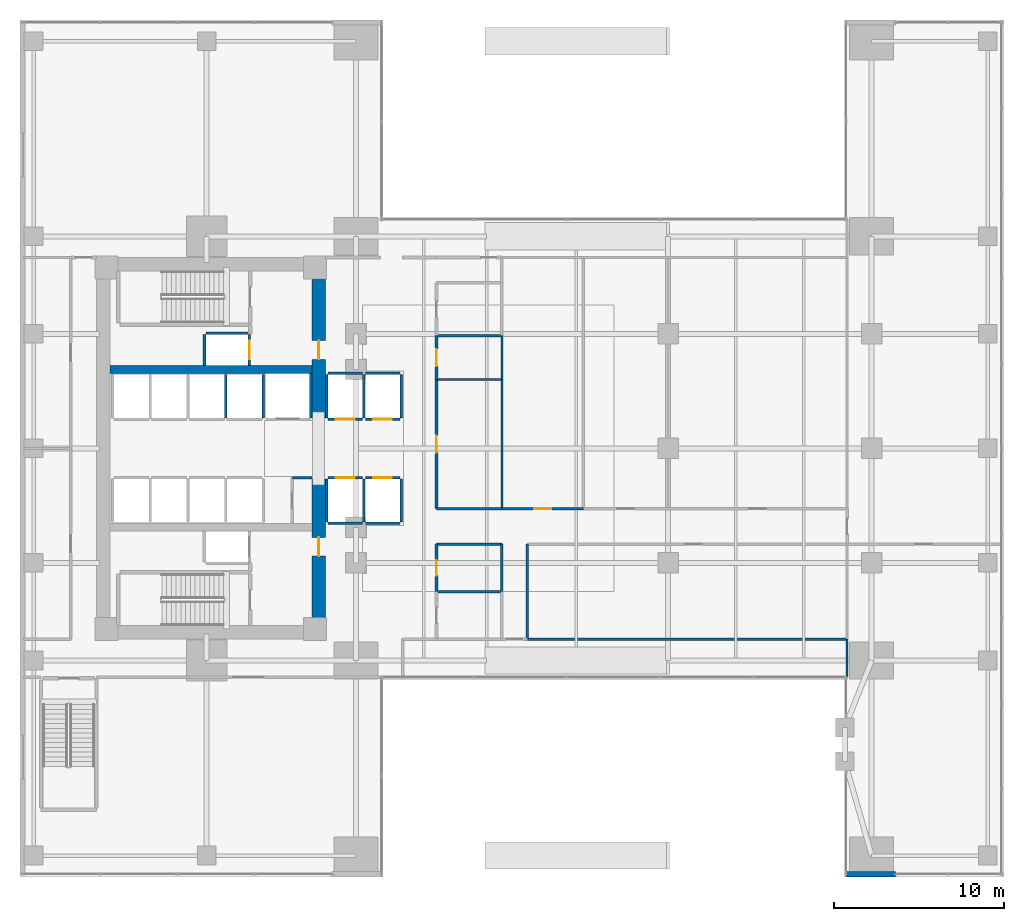
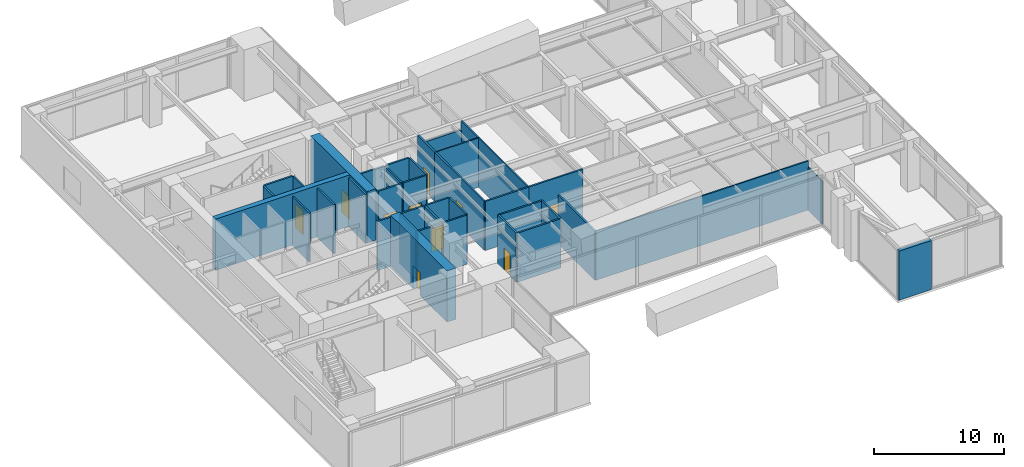
# One storey, part 9 of 13: 40 walls, 11 doors, 11 openings.
"""IFC4 building model written with IfcOpenShell, lengths in metres."""

import ifcopenshell
import ifcopenshell.guid

model = None  # the IFC model being written
_history = None  # IfcOwnerHistory: only IFC2X3 demands one
_inside = {}  # id of a spatial element -> (the spatial element, [elements in it])
_under = {}  # id of a project, library or spatial element -> (it, [spatial elements below it])
_declared = {}  # id of a project -> (the project, [libraries it declares])
_typed = {}  # id of a type object -> (the type object, [elements of that type])
_made_of = {}  # id of a material, layer set ... -> (it, [elements and type objects made of it])


def new_model(schema):
    """Start an empty IFC model of exactly this schema.

    Asked for "IFC4X3", IfcOpenShell would pick the latest addendum, in which some entities
    have other attributes; the version numbers below select the first issue.
    IFC2X3 requires an IfcOwnerHistory on every rooted entity: one is made here for all.
    """
    global model, _history
    if schema == "IFC4X3":
        model = ifcopenshell.file(schema_version=(4, 3, 0, 0))
    else:
        model = ifcopenshell.file(schema=schema)
    _inside.clear()
    _under.clear()
    _declared.clear()
    _typed.clear()
    _made_of.clear()
    _history = None
    if model.schema == "IFC2X3":
        org = make("IfcOrganization", Name="unknown")
        user = make(
            "IfcPersonAndOrganization",
            ThePerson=make("IfcPerson", FamilyName="unknown"),
            TheOrganization=org,
        )
        app = make(
            "IfcApplication",
            ApplicationDeveloper=org,
            Version="unknown",
            ApplicationFullName="unknown",
            ApplicationIdentifier="unknown",
        )
        _history = make(
            "IfcOwnerHistory",
            OwningUser=user,
            OwningApplication=app,
            ChangeAction="ADDED",
            CreationDate=0,
        )
    return model


def make(cls, **values):
    """One entity of the class cls with the attributes given. An attribute that is None is left unset."""
    return model.create_entity(
        cls, **{name: value for name, value in values.items() if value is not None}
    )


def rooted(cls, **values):
    """An entity with a GlobalId (a new one), such as an element, a storey or a relation."""
    return make(cls, GlobalId=ifcopenshell.guid.new(), OwnerHistory=_history, **values)


def si_unit(unit_type, name, prefix=None):
    """IfcSIUnit, for example si_unit("LENGTHUNIT", "METRE", prefix="MILLI")."""
    return make("IfcSIUnit", UnitType=unit_type, Prefix=prefix, Name=name)


def assignment(units):
    """IfcUnitAssignment: the units of a project."""
    return None if units is None else make("IfcUnitAssignment", Units=units)


def point(xyz):
    """IfcCartesianPoint."""
    return None if xyz is None else make("IfcCartesianPoint", Coordinates=xyz)


def direction(xyz):
    """IfcDirection."""
    return None if xyz is None else make("IfcDirection", DirectionRatios=xyz)


def frame(location, z_axis=None, x_axis=None):
    """IfcAxis2Placement3D, a coordinate frame: its origin and axes. An axis left out is left unset."""
    return make(
        "IfcAxis2Placement3D",
        Location=point(location),
        Axis=direction(z_axis),
        RefDirection=direction(x_axis),
    )


def frame_2d(location, x_axis=None):
    """IfcAxis2Placement2D, a coordinate frame in the plane: its origin and x axis."""
    return make(
        "IfcAxis2Placement2D", Location=point(location), RefDirection=direction(x_axis)
    )


def origin():
    """The frame at (0, 0, 0) with its axes left unset."""
    return frame((0.0, 0.0, 0.0))


def place(relative_to, where):
    """IfcLocalPlacement: puts the frame where relative to a parent placement (None: the world)."""
    return make(
        "IfcLocalPlacement", PlacementRelTo=relative_to, RelativePlacement=where
    )


def context(
    kind, dimensions, precision=None, world=None, true_north=None, identifier=None
):
    """IfcGeometricRepresentationContext, for example the 3D "Model" context."""
    return make(
        "IfcGeometricRepresentationContext",
        ContextIdentifier=identifier,
        ContextType=kind,
        CoordinateSpaceDimension=dimensions,
        Precision=precision,
        WorldCoordinateSystem=world,
        TrueNorth=true_north,
    )


def subcontext(parent, identifier, kind, view, scale=None):
    """IfcGeometricRepresentationSubContext, for example "Body" below "Model"."""
    return make(
        "IfcGeometricRepresentationSubContext",
        ContextIdentifier=identifier,
        ContextType=kind,
        ParentContext=parent,
        TargetScale=scale,
        TargetView=view,
    )


def project(units=None, contexts=None):
    """IfcProject with its units and contexts."""
    return rooted(
        "IfcProject",
        Name="project",
        RepresentationContexts=contexts,
        UnitsInContext=assignment(units),
    )


def spatial(cls, under=None, at=None, **own):
    """A site, building, storey or space (cls), placed at a placement, below another one or the project."""
    s = rooted(cls, ObjectPlacement=at, **own)
    if under is not None:
        _under.setdefault(under.id(), (under, []))[1].append(s)
    return s


def profile(cls, at=None, kind="AREA", **sizes):
    """A parametric profile (cls). Its sizes go by their IFC names, for example OverallWidth=200.0."""
    return make(cls, ProfileType=kind, Position=at, **sizes)


def rectangle(**sizes):
    """IfcRectangleProfileDef."""
    return profile("IfcRectangleProfileDef", **sizes)


def extrude(swept, where, along, depth):
    """IfcExtrudedAreaSolid: the profile swept, set in the frame where, extruded along a direction by depth."""
    return make(
        "IfcExtrudedAreaSolid",
        SweptArea=swept,
        Position=where,
        ExtrudedDirection=direction(along),
        Depth=depth,
    )


def shape(context_of_items, identifier, shape_type, items):
    """IfcShapeRepresentation: the items that make up one representation, for example the "Body"."""
    return make(
        "IfcShapeRepresentation",
        ContextOfItems=context_of_items,
        RepresentationIdentifier=identifier,
        RepresentationType=shape_type,
        Items=items,
    )


def material(Name=None, Category=None):
    """IfcMaterial."""
    return make("IfcMaterial", Name=Name, Category=Category)


def layer(
    of_material, thickness, ventilated=None, Name=None, Category=None, Priority=None
):
    """IfcMaterialLayer: one layer of a wall or slab, of a material (None: an air gap)."""
    return make(
        "IfcMaterialLayer",
        Material=of_material,
        LayerThickness=thickness,
        IsVentilated=ventilated,
        Name=Name,
        Category=Category,
        Priority=Priority,
    )


def layer_set(layers, Name=None):
    """IfcMaterialLayerSet."""
    return make("IfcMaterialLayerSet", MaterialLayers=layers, LayerSetName=Name)


def made_of(thing, what):
    """Note that an element or type object is made of a material, layer set ...; save() writes the relation."""
    if what is not None:
        _made_of.setdefault(what.id(), (what, []))[1].append(thing)
    return thing


def type_object(cls, material=None, **own):
    """A type object (cls), such as IfcWallType, which elements share."""
    return made_of(rooted(cls, **own), material)


def element(
    cls,
    number,
    at=None,
    inside=None,
    cuts=None,
    type_object=None,
    material=None,
    context=None,
    identifier="Body",
    shape_type=None,
    held_by="IfcProductDefinitionShape",
    body=None,
    shapes=None,
    **own,
):
    """One element of the class cls, such as IfcWall. Its Tag is "e" and its number.

    at: its placement. inside: the storey or other place that contains it. cuts: it is an
    opening in that element (IfcRelVoidsElement). A single representation is given by context,
    identifier, shape_type and body (its items); several are given by shapes. held_by: the class
    of the entity that holds the representations. save() writes the other relations.
    """
    e = rooted(cls, Tag="e%d" % number, ObjectPlacement=at, **own)
    if body is not None:
        shapes = [shape(context, identifier, shape_type, body)]
    if shapes is not None:
        e.Representation = make(held_by, Representations=shapes)
    if inside is not None:
        _inside.setdefault(inside.id(), (inside, []))[1].append(e)
    if cuts is not None:
        rooted(
            "IfcRelVoidsElement", RelatingBuildingElement=cuts, RelatedOpeningElement=e
        )
    if type_object is not None:
        _typed.setdefault(type_object.id(), (type_object, []))[1].append(e)
    return made_of(e, material)


def fill(opening, filler):
    """IfcRelFillsElement: the door or window that sits in an opening."""
    return rooted(
        "IfcRelFillsElement",
        RelatingOpeningElement=opening,
        RelatedBuildingElement=filler,
    )


def aggregate(whole, parts):
    """IfcRelAggregates: a whole, such as a stair, and the parts it consists of."""
    return rooted("IfcRelAggregates", RelatingObject=whole, RelatedObjects=parts)


def save(model, path):
    """Write the relations noted so far, then the file.

    IfcRelAggregates (storeys below a building ...), IfcRelContainedInSpatialStructure (elements
    in a storey), IfcRelDefinesByType, IfcRelAssociatesMaterial and IfcRelDeclares: one each for
    every whole, place, type object, material and project.
    """
    for whole, parts in _under.values():
        aggregate(whole, parts)
    for where, things in _inside.values():
        rooted(
            "IfcRelContainedInSpatialStructure",
            RelatedElements=things,
            RelatingStructure=where,
        )
    for kind, things in _typed.values():
        rooted("IfcRelDefinesByType", RelatedObjects=things, RelatingType=kind)
    for what, things in _made_of.values():
        rooted("IfcRelAssociatesMaterial", RelatedObjects=things, RelatingMaterial=what)
    for by, libraries in _declared.values():
        rooted("IfcRelDeclares", RelatingContext=by, RelatedDefinitions=libraries)
    model.write(path)


model = new_model("IFC4")

# Units and contexts
model_context = context("Model", 3, precision=1e-05, world=origin(), true_north=direction((0.0, 1.0)))
body_context = subcontext(model_context, "Body", "Model", "MODEL_VIEW")
ifc_project = project(units=[si_unit("LENGTHUNIT", "METRE"), si_unit("AREAUNIT", "SQUARE_METRE"), si_unit("VOLUMEUNIT", "CUBIC_METRE"), si_unit("PLANEANGLEUNIT", "RADIAN"), si_unit("MASSUNIT", "GRAM", prefix="KILO")], contexts=[model_context])

# Site, building, storey
site_placement = place(None, origin())
site = spatial("IfcSite", under=ifc_project, at=site_placement, CompositionType="ELEMENT")
building_placement = place(site_placement, origin())
building = spatial("IfcBuilding", under=site, at=building_placement, Name="Kinhvarn Gate Tower", CompositionType="ELEMENT")
storey_placement = place(building_placement, frame((0.0, 0.0, 10.800048828125)))
storey = spatial("IfcBuildingStorey", under=building, at=storey_placement, Name="L02", CompositionType="ELEMENT", Elevation=10.800048828125)

# Wall
ifc_material_1 = material(Name="Concrete C50/60", Category="concrete")
ifc_layer_1 = layer(ifc_material_1, 0.449951171875)
ifc_layer_set_1 = layer_set([ifc_layer_1], Name="Concrete C50/60")
wall_type_1 = type_object("IfcWallType", Name="WL-CORE-450", PredefinedType="SHEAR", material=ifc_layer_set_1)
wall_1_placement = place(storey_placement, frame((5.300048828125, 29.89990234375, 0.0), z_axis=(0.0, 0.0, 1.0), x_axis=(1.0, 0.0, 0.0)))
element("IfcWall", 1, at=wall_1_placement, inside=storey, type_object=wall_type_1, Name="Core North Spine Shear Wall L02 450 mm", PredefinedType="SHEAR", context=body_context, shape_type="SweptSolid", body=[
    extrude(rectangle(XDim=11.89990234375, YDim=0.449951171875, at=frame_2d((5.949951171875, 0.0))), origin(), (0.0, 0.0, 1.0), 4.800048828125),
])

# Wall, opening, door
ifc_material_2 = material(Name="Concrete C70/85", Category="concrete")
ifc_layer_2 = layer(ifc_material_2, 0.800048828125)
ifc_layer_set_2 = layer_set([ifc_layer_2], Name="Concrete C70/85")
wall_type_2 = type_object("IfcWallType", Name="WL-CORE-800", PredefinedType="SHEAR", material=ifc_layer_set_2)
wall_2_placement = place(storey_placement, frame((17.60009765625, 14.800048828125, 0.0), z_axis=(0.0, 0.0, 1.0), x_axis=(0.0, 1.0, 0.0)))
wall_2 = element("IfcWall", 2, at=wall_2_placement, inside=storey, type_object=wall_type_2, Name="Core East-South Shear Pier L02 800 mm", PredefinedType="SHEAR", context=body_context, shape_type="SweptSolid", body=[
    extrude(rectangle(XDim=8.64990234375, YDim=0.800048828125, at=frame_2d((4.324951171875, 0.0))), origin(), (0.0, 0.0, 1.0), 4.800048828125),
])
opening_1_placement = place(wall_2_placement, frame((4.10009765625, 0.0, 0.0)))
opening_1 = element("IfcOpeningElement", 3, at=opening_1_placement, cuts=wall_2, Name="Opening FD-02", PredefinedType="OPENING", context=body_context, shape_type="SweptSolid", body=[
    extrude(rectangle(XDim=1.10009765625, YDim=2.14990234375, at=frame_2d((0.550048828125, 1.074951171875))), frame((0.0, 0.41015625, 0.0), z_axis=(0.0, -1.0, 0.0), x_axis=(1.0, 0.0, 0.0)), (0.0, 0.0, 1.0), 0.820068359375),
])
ifc_material_3 = material(Name="Anodised aluminium AW-6063", Category="aluminium")
door_type_1 = type_object("IfcDoorType", Name="DR-FD-1100", OperationType="NOTDEFINED", PredefinedType="DOOR", material=ifc_material_3)
door_1_placement = place(opening_1_placement, origin())
door_1 = element("IfcDoor", 4, at=door_1_placement, inside=storey, type_object=door_type_1, Name="Firefighting Lobby Core Door (L02)", OperationType="SINGLE_SWING_RIGHT", OverallHeight=2.14990234375, OverallWidth=1.10009765625, PredefinedType="DOOR", context=body_context, shape_type="SweptSolid", body=[
    extrude(rectangle(XDim=1.10009765625, YDim=2.14990234375, at=frame_2d((0.550048828125, 1.074951171875))), frame((0.0, 0.02490234375, 0.0), z_axis=(0.0, -1.0, 0.0), x_axis=(1.0, 0.0, 0.0)), (0.0, 0.0, 1.0), 0.050048828125),
])
fill(opening_1, door_1)

wall_3_placement = place(storey_placement, frame((17.60009765625, 27.050048828125, 0.0), z_axis=(0.0, 0.0, 1.0), x_axis=(0.0, 1.0, 0.0)))
wall_3 = element("IfcWall", 5, at=wall_3_placement, inside=storey, type_object=wall_type_2, Name="Core East-North Shear Pier L02 800 mm", PredefinedType="SHEAR", context=body_context, shape_type="SweptSolid", body=[
    extrude(rectangle(XDim=8.64990234375, YDim=0.800048828125, at=frame_2d((4.324951171875, 0.0))), origin(), (0.0, 0.0, 1.0), 4.800048828125),
])
opening_2_placement = place(wall_3_placement, frame((3.449951171875, 0.0, 0.0)))
opening_2 = element("IfcOpeningElement", 6, at=opening_2_placement, cuts=wall_3, Name="Opening FD-02", PredefinedType="OPENING", context=body_context, shape_type="SweptSolid", body=[
    extrude(rectangle(XDim=1.10009765625, YDim=2.14990234375, at=frame_2d((0.550048828125, 1.074951171875))), frame((0.0, 0.41015625, 0.0), z_axis=(0.0, -1.0, 0.0), x_axis=(1.0, 0.0, 0.0)), (0.0, 0.0, 1.0), 0.820068359375),
])
door_2_placement = place(opening_2_placement, origin())
door_2 = element("IfcDoor", 7, at=door_2_placement, inside=storey, type_object=door_type_1, Name="Firefighting Lobby Core Door (L02)", OperationType="SINGLE_SWING_LEFT", OverallHeight=2.14990234375, OverallWidth=1.10009765625, PredefinedType="DOOR", context=body_context, shape_type="SweptSolid", body=[
    extrude(rectangle(XDim=1.10009765625, YDim=2.14990234375, at=frame_2d((0.550048828125, 1.074951171875))), frame((0.0, 0.02490234375, 0.0), z_axis=(0.0, -1.0, 0.0), x_axis=(1.0, 0.0, 0.0)), (0.0, 0.0, 1.0), 0.050048828125),
])
fill(opening_2, door_2)

# Walls
ifc_material_4 = material(Name="Precast white architectural concrete C40/50", Category="concrete")
ifc_layer_3 = layer(ifc_material_4, 0.300048828125)
ifc_layer_set_3 = layer_set([ifc_layer_3], Name="Precast white architectural concrete C40/50")
wall_type_3 = type_object("IfcWallType", Name="WL-EXT-300", PredefinedType="SOLIDWALL", material=ifc_layer_set_3)
wall_4_placement = place(storey_placement, frame((48.68994140625, 0.14990234375, 0.0), z_axis=(0.0, 0.0, 1.0), x_axis=(1.0, 0.0, 0.0)))
element("IfcWall", 8, at=wall_4_placement, inside=storey, type_object=wall_type_3, Name="Exterior Solidwall Wall EW-300 (L02 Arch-SE-Pier-L02)", PredefinedType="SOLIDWALL", context=body_context, shape_type="SweptSolid", body=[
    extrude(rectangle(XDim=2.91015625, YDim=0.300048828125, at=frame_2d((1.455078125, 0.0))), origin(), (0.0, 0.0, 1.0), 4.599853515625),
])
ifc_material_5 = material(Name="Gypsum acoustic partition board")
ifc_layer_4 = layer(ifc_material_5, 0.14990234375)
ifc_layer_set_4 = layer_set([ifc_layer_4], Name="Gypsum acoustic partition board")
wall_type_4 = type_object("IfcWallType", Name="WL-PLM-150", PredefinedType="PLUMBINGWALL", material=ifc_layer_set_4)
wall_5_placement = place(storey_placement, frame((24.550048828125, 16.800048828125, 0.0), z_axis=(0.0, 0.0, 1.0), x_axis=(1.0, 0.0, 0.0)))
element("IfcWall", 9, at=wall_5_placement, inside=storey, type_object=wall_type_4, Name="Interior Partition PLW-150 (L02)", PredefinedType="PLUMBINGWALL", context=body_context, shape_type="SweptSolid", body=[
    extrude(rectangle(XDim=3.849853515625, YDim=0.14990234375, at=frame_2d((1.9248046875, 0.0))), origin(), (0.0, 0.0, 1.0), 4.599853515625),
])
wall_6_placement = place(storey_placement, frame((24.550048828125, 31.89990234375, 0.0), z_axis=(0.0, 0.0, 1.0), x_axis=(1.0, 0.0, 0.0)))
element("IfcWall", 10, at=wall_6_placement, inside=storey, type_object=wall_type_4, Name="Interior Partition PLW-150 (L02)", PredefinedType="PLUMBINGWALL", context=body_context, shape_type="SweptSolid", body=[
    extrude(rectangle(XDim=3.849853515625, YDim=0.14990234375, at=frame_2d((1.9248046875, 0.0))), origin(), (0.0, 0.0, 1.0), 3.800048828125),
])

# Wall, opening, door
ifc_layer_5 = layer(ifc_material_5, 0.14990234375)
ifc_layer_set_5 = layer_set([ifc_layer_5], Name="Gypsum acoustic partition board")
wall_type_5 = type_object("IfcWallType", Name="WL-PLM-150F", PredefinedType="PLUMBINGWALL", material=ifc_layer_set_5)
wall_7_placement = place(storey_placement, frame((24.550048828125, 16.800048828125, 0.0), z_axis=(0.0, 0.0, 1.0), x_axis=(0.0, 1.0, 0.0)))
wall_7 = element("IfcWall", 11, at=wall_7_placement, inside=storey, type_object=wall_type_5, Name="Interior Partition PLW-150F (L02)", PredefinedType="PLUMBINGWALL", context=body_context, shape_type="SweptSolid", body=[
    extrude(rectangle(XDim=2.800048828125, YDim=0.14990234375, at=frame_2d((1.39990234375, 0.0))), origin(), (0.0, 0.0, 1.0), 4.599853515625),
])
opening_3_placement = place(wall_7_placement, frame((0.949951171875, 0.0, 0.0)))
opening_3 = element("IfcOpeningElement", 12, at=opening_3_placement, cuts=wall_7, Name="Opening FD-04", PredefinedType="OPENING", context=body_context, shape_type="SweptSolid", body=[
    extrude(rectangle(XDim=0.89990234375, YDim=2.10009765625, at=frame_2d((0.449951171875, 1.050048828125))), frame((0.0, 0.0849609375, 0.0), z_axis=(0.0, -1.0, 0.0), x_axis=(1.0, 0.0, 0.0)), (0.0, 0.0, 1.0), 0.169921875),
])
door_type_2 = type_object("IfcDoorType", Name="DR-FD-900", OperationType="NOTDEFINED", PredefinedType="DOOR", material=ifc_material_3)
door_3_placement = place(opening_3_placement, origin())
door_3 = element("IfcDoor", 13, at=door_3_placement, inside=storey, type_object=door_type_2, Name="Rated Riser & Service Closet Fire Door 900x2100 mm (L02)", OperationType="SINGLE_SWING_LEFT", OverallHeight=2.10009765625, OverallWidth=0.89990234375, PredefinedType="DOOR", context=body_context, shape_type="SweptSolid", body=[
    extrude(rectangle(XDim=0.89990234375, YDim=2.10009765625, at=frame_2d((0.449951171875, 1.050048828125))), frame((0.0, 0.02490234375, 0.0), z_axis=(0.0, -1.0, 0.0), x_axis=(1.0, 0.0, 0.0)), (0.0, 0.0, 1.0), 0.050048828125),
])
fill(opening_3, door_3)

# Walls
wall_8_placement = place(storey_placement, frame((28.39990234375, 16.800048828125, 0.0), z_axis=(0.0, 0.0, 1.0), x_axis=(0.0, 1.0, 0.0)))
element("IfcWall", 14, at=wall_8_placement, inside=storey, type_object=wall_type_5, Name="Interior Partition PLW-150F (L02)", PredefinedType="PLUMBINGWALL", context=body_context, shape_type="SweptSolid", body=[
    extrude(rectangle(XDim=2.800048828125, YDim=0.14990234375, at=frame_2d((1.39990234375, 0.0))), origin(), (0.0, 0.0, 1.0), 4.599853515625),
])
wall_9_placement = place(storey_placement, frame((24.550048828125, 19.60009765625, 0.0), z_axis=(0.0, 0.0, 1.0), x_axis=(1.0, 0.0, 0.0)))
element("IfcWall", 15, at=wall_9_placement, inside=storey, type_object=wall_type_5, Name="Interior Partition PLW-150F (L02)", PredefinedType="PLUMBINGWALL", context=body_context, shape_type="SweptSolid", body=[
    extrude(rectangle(XDim=3.849853515625, YDim=0.14990234375, at=frame_2d((1.9248046875, 0.0))), origin(), (0.0, 0.0, 1.0), 4.599853515625),
])
ifc_layer_6 = layer(ifc_material_5, 0.1201171875)
ifc_layer_set_6 = layer_set([ifc_layer_6], Name="Gypsum acoustic partition board")
wall_type_6 = type_object("IfcWallType", Name="WL-PRT-120", PredefinedType="PARTITIONING", material=ifc_layer_set_6)
wall_10_placement = place(storey_placement, frame((29.89990234375, 14.0, 0.0), z_axis=(0.0, 0.0, 1.0), x_axis=(1.0, 0.0, 0.0)))
element("IfcWall", 16, at=wall_10_placement, inside=storey, type_object=wall_type_6, Name="Interior Partition PW-120 (L02)", PredefinedType="PARTITIONING", context=body_context, shape_type="SweptSolid", body=[
    extrude(rectangle(XDim=18.85009765625, YDim=0.1201171875, at=frame_2d((9.425048828125, 0.0))), origin(), (0.0, 0.0, 1.0), 4.599853515625),
])
wall_11_placement = place(storey_placement, frame((48.75, 11.739990234375, 0.0), z_axis=(0.0, 0.0, 1.0), x_axis=(0.0, 1.0, 0.0)))
element("IfcWall", 17, at=wall_11_placement, inside=storey, type_object=wall_type_6, Name="Interior Partition PW-120 (L02)", PredefinedType="PARTITIONING", context=body_context, shape_type="SweptSolid", body=[
    extrude(rectangle(XDim=2.260009765625, YDim=0.1201171875, at=frame_2d((1.1298828125, 0.0))), origin(), (0.0, 0.0, 1.0), 4.0),
])
wall_12_placement = place(storey_placement, frame((24.550048828125, 29.300048828125, 0.0), z_axis=(0.0, 0.0, 1.0), x_axis=(1.0, 0.0, 0.0)))
element("IfcWall", 18, at=wall_12_placement, inside=storey, type_object=wall_type_6, Name="Interior Partition PW-120 (L02)", PredefinedType="PARTITIONING", context=body_context, shape_type="SweptSolid", body=[
    extrude(rectangle(XDim=3.849853515625, YDim=0.1201171875, at=frame_2d((1.9248046875, 0.0))), origin(), (0.0, 0.0, 1.0), 4.599853515625),
])
wall_13_placement = place(storey_placement, frame((28.39990234375, 29.300048828125, 0.0), z_axis=(0.0, 0.0, 1.0), x_axis=(0.0, 1.0, 0.0)))
element("IfcWall", 19, at=wall_13_placement, inside=storey, type_object=wall_type_6, Name="Interior Partition PW-120 (L02)", PredefinedType="PARTITIONING", context=body_context, shape_type="SweptSolid", body=[
    extrude(rectangle(XDim=2.599853515625, YDim=0.1201171875, at=frame_2d((1.2998046875, 0.0))), origin(), (0.0, 0.0, 1.0), 4.599853515625),
])
wall_14_placement = place(storey_placement, frame((28.39990234375, 21.699951171875, 0.0), z_axis=(0.0, 0.0, 1.0), x_axis=(0.0, 1.0, 0.0)))
element("IfcWall", 20, at=wall_14_placement, inside=storey, type_object=wall_type_6, Name="Interior Partition PW-120 (L02)", PredefinedType="PARTITIONING", context=body_context, shape_type="SweptSolid", body=[
    extrude(rectangle(XDim=7.60009765625, YDim=0.1201171875, at=frame_2d((3.800048828125, 0.0))), origin(), (0.0, 0.0, 1.0), 4.599853515625),
])
ifc_layer_7 = layer(ifc_material_5, 0.14990234375)
ifc_layer_set_7 = layer_set([ifc_layer_7], Name="Gypsum acoustic partition board")
wall_type_7 = type_object("IfcWallType", Name="WL-PRT-150F", PredefinedType="PARTITIONING", material=ifc_layer_set_7)
wall_15_placement = place(storey_placement, frame((16.050048828125, 23.52001953125, 0.0), z_axis=(0.0, 0.0, 1.0), x_axis=(1.0, 0.0, 0.0)))
element("IfcWall", 21, at=wall_15_placement, inside=storey, type_object=wall_type_7, Name="Interior Partition PW-150F (L02)", PredefinedType="PARTITIONING", context=body_context, shape_type="SweptSolid", body=[
    extrude(rectangle(XDim=1.169921875, YDim=0.14990234375, at=frame_2d((0.5849609375, 0.0))), origin(), (0.0, 0.0, 1.0), 4.599853515625),
])

# Wall, opening, door
wall_16_placement = place(storey_placement, frame((24.550048828125, 29.300048828125, 0.0), z_axis=(0.0, 0.0, 1.0), x_axis=(0.0, 1.0, 0.0)))
wall_16 = element("IfcWall", 22, at=wall_16_placement, inside=storey, type_object=wall_type_7, Name="Interior Partition PW-150F (L02)", PredefinedType="PARTITIONING", context=body_context, shape_type="SweptSolid", body=[
    extrude(rectangle(XDim=2.599853515625, YDim=0.14990234375, at=frame_2d((1.2998046875, 0.0))), origin(), (0.0, 0.0, 1.0), 4.599853515625),
])
opening_4_placement = place(wall_16_placement, frame((0.800048828125, 0.0, 0.0)))
opening_4 = element("IfcOpeningElement", 23, at=opening_4_placement, cuts=wall_16, Name="Opening ID-02", PredefinedType="OPENING", context=body_context, shape_type="SweptSolid", body=[
    extrude(rectangle(XDim=1.0, YDim=2.14990234375, at=frame_2d((0.5, 1.074951171875))), frame((0.0, 0.0849609375, 0.0), z_axis=(0.0, -1.0, 0.0), x_axis=(1.0, 0.0, 0.0)), (0.0, 0.0, 1.0), 0.169921875),
])
door_type_3 = type_object("IfcDoorType", Name="DR-INT-1000", OperationType="NOTDEFINED", PredefinedType="DOOR", material=ifc_material_3)
door_4_placement = place(opening_4_placement, origin())
door_4 = element("IfcDoor", 24, at=door_4_placement, inside=storey, type_object=door_type_3, Name="Standard Office & Meeting Room Door 1000x2150 mm (L02)", OperationType="SINGLE_SWING_RIGHT", OverallHeight=2.14990234375, OverallWidth=1.0, PredefinedType="DOOR", context=body_context, shape_type="SweptSolid", body=[
    extrude(rectangle(XDim=1.0, YDim=2.14990234375, at=frame_2d((0.5, 1.074951171875))), frame((0.0, 0.02490234375, 0.0), z_axis=(0.0, -1.0, 0.0), x_axis=(1.0, 0.0, 0.0)), (0.0, 0.0, 1.0), 0.050048828125),
])
fill(opening_4, door_4)

wall_17_placement = place(storey_placement, frame((24.550048828125, 21.699951171875, 0.0), z_axis=(0.0, 0.0, 1.0), x_axis=(0.0, 1.0, 0.0)))
wall_17 = element("IfcWall", 25, at=wall_17_placement, inside=storey, type_object=wall_type_7, Name="Interior Partition PW-150F (L02)", PredefinedType="PARTITIONING", context=body_context, shape_type="SweptSolid", body=[
    extrude(rectangle(XDim=7.60009765625, YDim=0.14990234375, at=frame_2d((3.800048828125, 0.0))), origin(), (0.0, 0.0, 1.0), 4.599853515625),
])
opening_5_placement = place(wall_17_placement, frame((3.300048828125, 0.0, 0.0)))
opening_5 = element("IfcOpeningElement", 26, at=opening_5_placement, cuts=wall_17, Name="Opening ID-02", PredefinedType="OPENING", context=body_context, shape_type="SweptSolid", body=[
    extrude(rectangle(XDim=1.0, YDim=2.14990234375, at=frame_2d((0.5, 1.074951171875))), frame((0.0, 0.0849609375, 0.0), z_axis=(0.0, -1.0, 0.0), x_axis=(1.0, 0.0, 0.0)), (0.0, 0.0, 1.0), 0.169921875),
])
door_5_placement = place(opening_5_placement, origin())
door_5 = element("IfcDoor", 27, at=door_5_placement, inside=storey, type_object=door_type_3, Name="Standard Office & Meeting Room Door 1000x2150 mm (L02)", OperationType="SINGLE_SWING_LEFT", OverallHeight=2.14990234375, OverallWidth=1.0, PredefinedType="DOOR", context=body_context, shape_type="SweptSolid", body=[
    extrude(rectangle(XDim=1.0, YDim=2.14990234375, at=frame_2d((0.5, 1.074951171875))), frame((0.0, 0.02490234375, 0.0), z_axis=(0.0, -1.0, 0.0), x_axis=(1.0, 0.0, 0.0)), (0.0, 0.0, 1.0), 0.050048828125),
])
fill(opening_5, door_5)

# Walls
wall_18_placement = place(storey_placement, frame((29.89990234375, 14.0, 0.0), z_axis=(0.0, 0.0, 1.0), x_axis=(0.0, 1.0, 0.0)))
element("IfcWall", 28, at=wall_18_placement, inside=storey, type_object=wall_type_7, Name="Interior Partition PW-150F (L02)", PredefinedType="PARTITIONING", context=body_context, shape_type="SweptSolid", body=[
    extrude(rectangle(XDim=5.60009765625, YDim=0.14990234375, at=frame_2d((2.800048828125, 0.0))), origin(), (0.0, 0.0, 1.0), 4.599853515625),
])
wall_19_placement = place(storey_placement, frame((24.550048828125, 21.699951171875, 0.0), z_axis=(0.0, 0.0, 1.0), x_axis=(1.0, 0.0, 0.0)))
element("IfcWall", 29, at=wall_19_placement, inside=storey, type_object=wall_type_7, Name="Interior Partition PW-150F (L02)", PredefinedType="PARTITIONING", context=body_context, shape_type="SweptSolid", body=[
    extrude(rectangle(XDim=3.849853515625, YDim=0.14990234375, at=frame_2d((1.9248046875, 0.0))), origin(), (0.0, 0.0, 1.0), 4.599853515625),
])

# Wall, opening, door
wall_20_placement = place(storey_placement, frame((28.39990234375, 21.699951171875, 0.0), z_axis=(0.0, 0.0, 1.0), x_axis=(1.0, 0.0, 0.0)))
wall_20 = element("IfcWall", 30, at=wall_20_placement, inside=storey, type_object=wall_type_7, Name="Interior Partition PW-150F (L02)", PredefinedType="PARTITIONING", context=body_context, shape_type="SweptSolid", body=[
    extrude(rectangle(XDim=4.800048828125, YDim=0.14990234375, at=frame_2d((2.39990234375, 0.0))), origin(), (0.0, 0.0, 1.0), 4.599853515625),
])
opening_6_placement = place(wall_20_placement, frame((1.89990234375, 0.0, 0.0)))
opening_6 = element("IfcOpeningElement", 31, at=opening_6_placement, cuts=wall_20, Name="Opening ID-02", PredefinedType="OPENING", context=body_context, shape_type="SweptSolid", body=[
    extrude(rectangle(XDim=1.0, YDim=2.14990234375, at=frame_2d((0.5, 1.074951171875))), frame((0.0, 0.0849609375, 0.0), z_axis=(0.0, -1.0, 0.0), x_axis=(1.0, 0.0, 0.0)), (0.0, 0.0, 1.0), 0.169921875),
])
door_6_placement = place(opening_6_placement, origin())
door_6 = element("IfcDoor", 32, at=door_6_placement, inside=storey, type_object=door_type_3, Name="Standard Office & Meeting Room Door 1000x2150 mm (L02)", OperationType="SINGLE_SWING_RIGHT", OverallHeight=2.14990234375, OverallWidth=1.0, PredefinedType="DOOR", context=body_context, shape_type="SweptSolid", body=[
    extrude(rectangle(XDim=1.0, YDim=2.14990234375, at=frame_2d((0.5, 1.074951171875))), frame((0.0, 0.02490234375, 0.0), z_axis=(0.0, -1.0, 0.0), x_axis=(1.0, 0.0, 0.0)), (0.0, 0.0, 1.0), 0.050048828125),
])
fill(opening_6, door_6)

# Wall
ifc_layer_8 = layer(ifc_material_5, 0.14990234375)
ifc_layer_set_8 = layer_set([ifc_layer_8], Name="Gypsum acoustic partition board")
wall_type_8 = type_object("IfcWallType", Name="WL-SHF-150", PredefinedType="PARTITIONING", material=ifc_layer_set_8)
wall_21_placement = place(storey_placement, frame((18.14990234375, 20.824951171875, 0.0), z_axis=(0.0, 0.0, 1.0), x_axis=(1.0, 0.0, 0.0)))
element("IfcWall", 33, at=wall_21_placement, inside=storey, type_object=wall_type_8, Name="Elevator PL-01 Hoistway Wall S (L02)", PredefinedType="PARTITIONING", context=body_context, shape_type="SweptSolid", body=[
    extrude(rectangle(XDim=2.050048828125, YDim=0.14990234375, at=frame_2d((1.02490234375, 0.0))), origin(), (0.0, 0.0, 1.0), 4.599853515625),
])

# Wall, opening, door
wall_22_placement = place(storey_placement, frame((18.14990234375, 23.52490234375, 0.0), z_axis=(0.0, 0.0, 1.0), x_axis=(1.0, 0.0, 0.0)))
wall_22 = element("IfcWall", 34, at=wall_22_placement, inside=storey, type_object=wall_type_8, Name="Elevator PL-01 Landing Wall (L02)", PredefinedType="PARTITIONING", context=body_context, shape_type="SweptSolid", body=[
    extrude(rectangle(XDim=2.050048828125, YDim=0.14990234375, at=frame_2d((1.02490234375, 0.0))), origin(), (0.0, 0.0, 1.0), 4.599853515625),
])
opening_7_placement = place(wall_22_placement, frame((0.47509765625, 0.0, 0.0)))
opening_7 = element("IfcOpeningElement", 35, at=opening_7_placement, cuts=wall_22, Name="Opening LD-01", PredefinedType="OPENING", context=body_context, shape_type="SweptSolid", body=[
    extrude(rectangle(XDim=1.10009765625, YDim=2.199951171875, at=frame_2d((0.550048828125, 1.10009765625))), frame((0.0, 0.0849609375, 0.0), z_axis=(0.0, -1.0, 0.0), x_axis=(1.0, 0.0, 0.0)), (0.0, 0.0, 1.0), 0.169921875),
])
door_type_4 = type_object("IfcDoorType", Name="DR-LND-PAS", OperationType="NOTDEFINED", PredefinedType="DOOR", material=ifc_material_3)
door_7_placement = place(opening_7_placement, origin())
door_7 = element("IfcDoor", 36, at=door_7_placement, inside=storey, type_object=door_type_4, Name="Elevator PL-01 Sliding Landing Door (L02)", OperationType="DOUBLE_DOOR_SLIDING", OverallHeight=2.199951171875, OverallWidth=1.10009765625, PredefinedType="DOOR", context=body_context, shape_type="SweptSolid", body=[
    extrude(rectangle(XDim=1.10009765625, YDim=2.199951171875, at=frame_2d((0.550048828125, 1.10009765625))), frame((0.0, 0.02490234375, 0.0), z_axis=(0.0, -1.0, 0.0), x_axis=(1.0, 0.0, 0.0)), (0.0, 0.0, 1.0), 0.050048828125),
])
fill(opening_7, door_7)

# Walls
for number, where, z_axis, x_axis, name in (
    (37, (18.074951171875, 20.89990234375, 0.0), (0.0, 0.0, 1.0), (0.0, 1.0, 0.0), "Elevator PL-01 Hoistway Wall W (L02)"),
    (38, (20.27490234375, 20.89990234375, 0.0), (0.0, 0.0, 1.0), (0.0, 1.0, 0.0), "Elevator PL-01 Hoistway Wall E (L02)"),
):
    element("IfcWall", number, at=place(storey_placement, frame(where, z_axis=z_axis, x_axis=x_axis)), inside=storey, type_object=wall_type_8, Name=name, PredefinedType="PARTITIONING", context=body_context, shape_type="SweptSolid", body=[
        extrude(rectangle(XDim=2.550048828125, YDim=0.14990234375, at=frame_2d((1.27490234375, 0.0))), origin(), (0.0, 0.0, 1.0), 4.599853515625),
    ])
wall_23_placement = place(storey_placement, frame((20.35009765625, 20.824951171875, 0.0), z_axis=(0.0, 0.0, 1.0), x_axis=(1.0, 0.0, 0.0)))
element("IfcWall", 39, at=wall_23_placement, inside=storey, type_object=wall_type_8, Name="Elevator PL-02 Hoistway Wall S (L02)", PredefinedType="PARTITIONING", context=body_context, shape_type="SweptSolid", body=[
    extrude(rectangle(XDim=2.0498046875, YDim=0.14990234375, at=frame_2d((1.02490234375, 0.0))), origin(), (0.0, 0.0, 1.0), 4.599853515625),
])

# Wall, opening, door
wall_24_placement = place(storey_placement, frame((20.35009765625, 23.52490234375, 0.0), z_axis=(0.0, 0.0, 1.0), x_axis=(1.0, 0.0, 0.0)))
wall_24 = element("IfcWall", 40, at=wall_24_placement, inside=storey, type_object=wall_type_8, Name="Elevator PL-02 Landing Wall (L02)", PredefinedType="PARTITIONING", context=body_context, shape_type="SweptSolid", body=[
    extrude(rectangle(XDim=2.0498046875, YDim=0.14990234375, at=frame_2d((1.02490234375, 0.0))), origin(), (0.0, 0.0, 1.0), 4.599853515625),
])
opening_8_placement = place(wall_24_placement, frame((0.47509765625, 0.0, 0.0)))
opening_8 = element("IfcOpeningElement", 41, at=opening_8_placement, cuts=wall_24, Name="Opening LD-01", PredefinedType="OPENING", context=body_context, shape_type="SweptSolid", body=[
    extrude(rectangle(XDim=1.10009765625, YDim=2.199951171875, at=frame_2d((0.550048828125, 1.10009765625))), frame((0.0, 0.0849609375, 0.0), z_axis=(0.0, -1.0, 0.0), x_axis=(1.0, 0.0, 0.0)), (0.0, 0.0, 1.0), 0.169921875),
])
door_8_placement = place(opening_8_placement, origin())
door_8 = element("IfcDoor", 42, at=door_8_placement, inside=storey, type_object=door_type_4, Name="Elevator PL-02 Sliding Landing Door (L02)", OperationType="DOUBLE_DOOR_SLIDING", OverallHeight=2.199951171875, OverallWidth=1.10009765625, PredefinedType="DOOR", context=body_context, shape_type="SweptSolid", body=[
    extrude(rectangle(XDim=1.10009765625, YDim=2.199951171875, at=frame_2d((0.550048828125, 1.10009765625))), frame((0.0, 0.02490234375, 0.0), z_axis=(0.0, -1.0, 0.0), x_axis=(1.0, 0.0, 0.0)), (0.0, 0.0, 1.0), 0.050048828125),
])
fill(opening_8, door_8)

# Wall
wall_25_placement = place(storey_placement, frame((22.47509765625, 20.89990234375, 0.0), z_axis=(0.0, 0.0, 1.0), x_axis=(0.0, 1.0, 0.0)))
element("IfcWall", 43, at=wall_25_placement, inside=storey, type_object=wall_type_8, Name="Elevator PL-02 Hoistway Wall E (L02)", PredefinedType="PARTITIONING", context=body_context, shape_type="SweptSolid", body=[
    extrude(rectangle(XDim=2.550048828125, YDim=0.14990234375, at=frame_2d((1.27490234375, 0.0))), origin(), (0.0, 0.0, 1.0), 4.599853515625),
])

# Wall, opening, door
wall_26_placement = place(storey_placement, frame((18.14990234375, 26.97509765625, 0.0), z_axis=(0.0, 0.0, 1.0), x_axis=(1.0, 0.0, 0.0)))
wall_26 = element("IfcWall", 44, at=wall_26_placement, inside=storey, type_object=wall_type_8, Name="Elevator PL-03 Landing Wall (L02)", PredefinedType="PARTITIONING", context=body_context, shape_type="SweptSolid", body=[
    extrude(rectangle(XDim=2.050048828125, YDim=0.14990234375, at=frame_2d((1.02490234375, 0.0))), origin(), (0.0, 0.0, 1.0), 4.599853515625),
])
opening_9_placement = place(wall_26_placement, frame((0.47509765625, 0.0, 0.0)))
opening_9 = element("IfcOpeningElement", 45, at=opening_9_placement, cuts=wall_26, Name="Opening LD-01", PredefinedType="OPENING", context=body_context, shape_type="SweptSolid", body=[
    extrude(rectangle(XDim=1.10009765625, YDim=2.199951171875, at=frame_2d((0.550048828125, 1.10009765625))), frame((0.0, 0.0849609375, 0.0), z_axis=(0.0, -1.0, 0.0), x_axis=(1.0, 0.0, 0.0)), (0.0, 0.0, 1.0), 0.169921875),
])
door_9_placement = place(opening_9_placement, origin())
door_9 = element("IfcDoor", 46, at=door_9_placement, inside=storey, type_object=door_type_4, Name="Elevator PL-03 Sliding Landing Door (L02)", OperationType="DOUBLE_DOOR_SLIDING", OverallHeight=2.199951171875, OverallWidth=1.10009765625, PredefinedType="DOOR", context=body_context, shape_type="SweptSolid", body=[
    extrude(rectangle(XDim=1.10009765625, YDim=2.199951171875, at=frame_2d((0.550048828125, 1.10009765625))), frame((0.0, 0.02490234375, 0.0), z_axis=(0.0, -1.0, 0.0), x_axis=(1.0, 0.0, 0.0)), (0.0, 0.0, 1.0), 0.050048828125),
])
fill(opening_9, door_9)

# Walls
wall_27_placement = place(storey_placement, frame((18.14990234375, 29.675048828125, 0.0), z_axis=(0.0, 0.0, 1.0), x_axis=(1.0, 0.0, 0.0)))
element("IfcWall", 47, at=wall_27_placement, inside=storey, type_object=wall_type_8, Name="Elevator PL-03 Hoistway Wall N (L02)", PredefinedType="PARTITIONING", context=body_context, shape_type="SweptSolid", body=[
    extrude(rectangle(XDim=2.050048828125, YDim=0.14990234375, at=frame_2d((1.02490234375, 0.0))), origin(), (0.0, 0.0, 1.0), 4.599853515625),
])
for number, where, z_axis, x_axis, name in (
    (48, (18.074951171875, 27.050048828125, 0.0), (0.0, 0.0, 1.0), (0.0, 1.0, 0.0), "Elevator PL-03 Hoistway Wall W (L02)"),
    (49, (20.27490234375, 27.050048828125, 0.0), (0.0, 0.0, 1.0), (0.0, 1.0, 0.0), "Elevator PL-03 Hoistway Wall E (L02)"),
):
    element("IfcWall", number, at=place(storey_placement, frame(where, z_axis=z_axis, x_axis=x_axis)), inside=storey, type_object=wall_type_8, Name=name, PredefinedType="PARTITIONING", context=body_context, shape_type="SweptSolid", body=[
        extrude(rectangle(XDim=2.550048828125, YDim=0.14990234375, at=frame_2d((1.27490234375, 0.0))), origin(), (0.0, 0.0, 1.0), 4.599853515625),
    ])

# Wall, opening, door
wall_28_placement = place(storey_placement, frame((20.35009765625, 26.97509765625, 0.0), z_axis=(0.0, 0.0, 1.0), x_axis=(1.0, 0.0, 0.0)))
wall_28 = element("IfcWall", 50, at=wall_28_placement, inside=storey, type_object=wall_type_8, Name="Elevator PL-04 Landing Wall (L02)", PredefinedType="PARTITIONING", context=body_context, shape_type="SweptSolid", body=[
    extrude(rectangle(XDim=2.0498046875, YDim=0.14990234375, at=frame_2d((1.02490234375, 0.0))), origin(), (0.0, 0.0, 1.0), 4.599853515625),
])
opening_10_placement = place(wall_28_placement, frame((0.47509765625, 0.0, 0.0)))
opening_10 = element("IfcOpeningElement", 51, at=opening_10_placement, cuts=wall_28, Name="Opening LD-01", PredefinedType="OPENING", context=body_context, shape_type="SweptSolid", body=[
    extrude(rectangle(XDim=1.10009765625, YDim=2.199951171875, at=frame_2d((0.550048828125, 1.10009765625))), frame((0.0, 0.0849609375, 0.0), z_axis=(0.0, -1.0, 0.0), x_axis=(1.0, 0.0, 0.0)), (0.0, 0.0, 1.0), 0.169921875),
])
door_10_placement = place(opening_10_placement, origin())
door_10 = element("IfcDoor", 52, at=door_10_placement, inside=storey, type_object=door_type_4, Name="Elevator PL-04 Sliding Landing Door (L02)", OperationType="DOUBLE_DOOR_SLIDING", OverallHeight=2.199951171875, OverallWidth=1.10009765625, PredefinedType="DOOR", context=body_context, shape_type="SweptSolid", body=[
    extrude(rectangle(XDim=1.10009765625, YDim=2.199951171875, at=frame_2d((0.550048828125, 1.10009765625))), frame((0.0, 0.02490234375, 0.0), z_axis=(0.0, -1.0, 0.0), x_axis=(1.0, 0.0, 0.0)), (0.0, 0.0, 1.0), 0.050048828125),
])
fill(opening_10, door_10)

# Walls
wall_29_placement = place(storey_placement, frame((20.35009765625, 29.675048828125, 0.0), z_axis=(0.0, 0.0, 1.0), x_axis=(1.0, 0.0, 0.0)))
element("IfcWall", 53, at=wall_29_placement, inside=storey, type_object=wall_type_8, Name="Elevator PL-04 Hoistway Wall N (L02)", PredefinedType="PARTITIONING", context=body_context, shape_type="SweptSolid", body=[
    extrude(rectangle(XDim=2.0498046875, YDim=0.14990234375, at=frame_2d((1.02490234375, 0.0))), origin(), (0.0, 0.0, 1.0), 4.599853515625),
])
for number, where, z_axis, x_axis, name in (
    (54, (22.47509765625, 27.050048828125, 0.0), (0.0, 0.0, 1.0), (0.0, 1.0, 0.0), "Elevator PL-04 Hoistway Wall E (L02)"),
    (55, (12.125, 27.050048828125, 0.0), (0.0, 0.0, 1.0), (0.0, 1.0, 0.0), "Elevator PH-11 Hoistway Wall E (L02)"),
    (56, (14.324951171875, 27.050048828125, 0.0), (0.0, 0.0, 1.0), (0.0, 1.0, 0.0), "Elevator PH-12 Hoistway Wall E (L02)"),
):
    element("IfcWall", number, at=place(storey_placement, frame(where, z_axis=z_axis, x_axis=x_axis)), inside=storey, type_object=wall_type_8, Name=name, PredefinedType="PARTITIONING", context=body_context, shape_type="SweptSolid", body=[
        extrude(rectangle(XDim=2.550048828125, YDim=0.14990234375, at=frame_2d((1.27490234375, 0.0))), origin(), (0.0, 0.0, 1.0), 4.599853515625),
    ])
wall_30_placement = place(storey_placement, frame((17.125, 27.050048828125, 0.0), z_axis=(0.0, 0.0, 1.0), x_axis=(0.0, 1.0, 0.0)))
element("IfcWall", 57, at=wall_30_placement, inside=storey, type_object=wall_type_8, Name="Elevator SV-01 Hoistway Wall E (L02)", PredefinedType="PARTITIONING", context=body_context, shape_type="SweptSolid", body=[
    extrude(rectangle(XDim=2.599853515625, YDim=0.14990234375, at=frame_2d((1.2998046875, 0.0))), origin(), (0.0, 0.0, 1.0), 4.599853515625),
])
wall_31_placement = place(storey_placement, frame((10.949951171875, 32.02490234375, 0.0), z_axis=(0.0, 0.0, 1.0), x_axis=(1.0, 0.0, 0.0)))
element("IfcWall", 58, at=wall_31_placement, inside=storey, type_object=wall_type_8, Name="Elevator FF2 Hoistway Wall N (L02)", PredefinedType="PARTITIONING", context=body_context, shape_type="SweptSolid", body=[
    extrude(rectangle(XDim=2.5, YDim=0.14990234375, at=frame_2d((1.25, 0.0))), origin(), (0.0, 0.0, 1.0), 4.599853515625),
])
wall_32_placement = place(storey_placement, frame((10.875, 30.14990234375, 0.0), z_axis=(0.0, 0.0, 1.0), x_axis=(0.0, 1.0, 0.0)))
element("IfcWall", 59, at=wall_32_placement, inside=storey, type_object=wall_type_8, Name="Elevator FF2 Hoistway Wall W (L02)", PredefinedType="PARTITIONING", context=body_context, shape_type="SweptSolid", body=[
    extrude(rectangle(XDim=1.800048828125, YDim=0.14990234375, at=frame_2d((0.89990234375, 0.0))), origin(), (0.0, 0.0, 1.0), 4.599853515625),
])

# Wall, opening, door
wall_33_placement = place(storey_placement, frame((13.52490234375, 30.14990234375, 0.0), z_axis=(0.0, 0.0, 1.0), x_axis=(0.0, 1.0, 0.0)))
wall_33 = element("IfcWall", 60, at=wall_33_placement, inside=storey, type_object=wall_type_8, Name="Elevator FF2 Landing Wall (L02)", PredefinedType="PARTITIONING", context=body_context, shape_type="SweptSolid", body=[
    extrude(rectangle(XDim=1.800048828125, YDim=0.14990234375, at=frame_2d((0.89990234375, 0.0))), origin(), (0.0, 0.0, 1.0), 4.599853515625),
])
opening_11_placement = place(wall_33_placement, frame((0.35009765625, 0.0, 0.0)))
opening_11 = element("IfcOpeningElement", 61, at=opening_11_placement, cuts=wall_33, Name="Opening LD-03", PredefinedType="OPENING", context=body_context, shape_type="SweptSolid", body=[
    extrude(rectangle(XDim=1.10009765625, YDim=2.199951171875, at=frame_2d((0.550048828125, 1.10009765625))), frame((0.0, 0.0849609375, 0.0), z_axis=(0.0, -1.0, 0.0), x_axis=(1.0, 0.0, 0.0)), (0.0, 0.0, 1.0), 0.169921875),
])
door_type_5 = type_object("IfcDoorType", Name="DR-LND-FF", OperationType="NOTDEFINED", PredefinedType="DOOR", material=ifc_material_3)
door_11_placement = place(opening_11_placement, origin())
door_11 = element("IfcDoor", 62, at=door_11_placement, inside=storey, type_object=door_type_5, Name="Elevator FF2 Sliding Landing Door (L02)", OperationType="DOUBLE_DOOR_SLIDING", OverallHeight=2.199951171875, OverallWidth=1.10009765625, PredefinedType="DOOR", context=body_context, shape_type="SweptSolid", body=[
    extrude(rectangle(XDim=1.10009765625, YDim=2.199951171875, at=frame_2d((0.550048828125, 1.10009765625))), frame((0.0, 0.02490234375, 0.0), z_axis=(0.0, -1.0, 0.0), x_axis=(1.0, 0.0, 0.0)), (0.0, 0.0, 1.0), 0.050048828125),
])
fill(opening_11, door_11)

save(model, "model.ifc")
